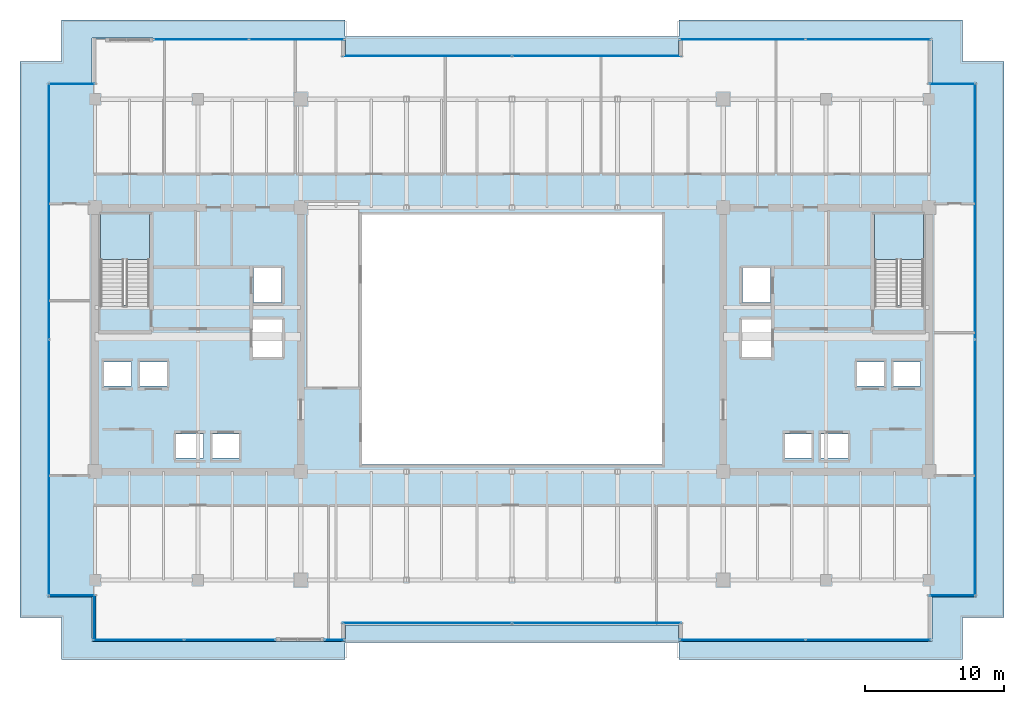
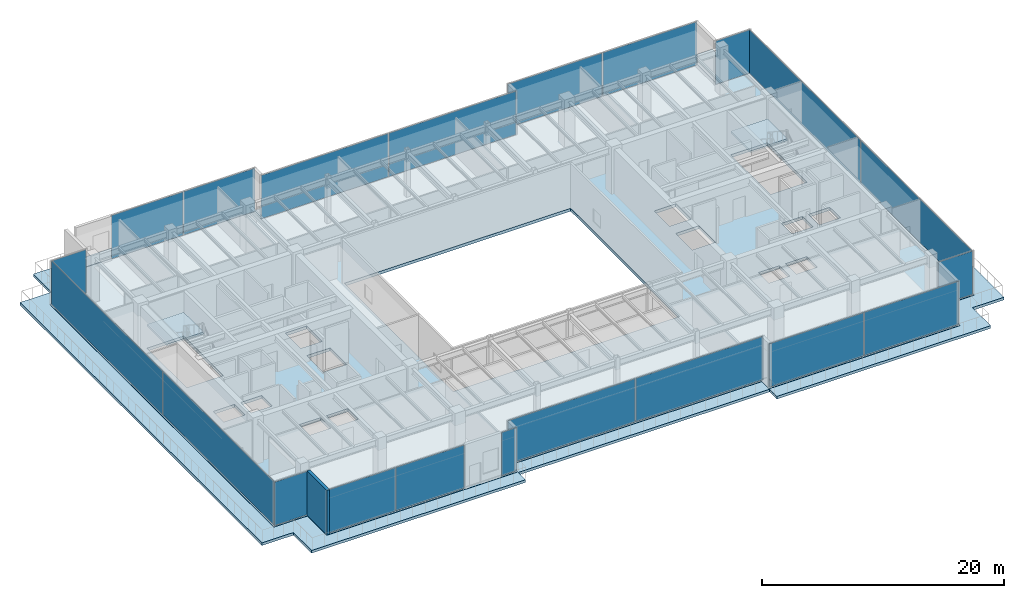
# One storey, part 27 of 37: 21 plates, 4 slabs, 1 wall, 15 elements without a shape of their own.
"""IFC4 building model written with IfcOpenShell, lengths in metres."""

from ifc_helpers import new_model, si_unit, direction, frame, frame_2d, origin, origin_2d, place, context, subcontext, project, spatial, polyline, rectangle, outline, extrude, source, transform, mapped, material, layer, layer_set, type_object, type_shapes, element, aggregate, save


model = new_model("IFC4")

# Units and contexts
model_context = context("Model", 3, precision=1e-05, world=origin(), true_north=direction((0.0, 1.0)))
body_context = subcontext(model_context, "Body", "Model", "MODEL_VIEW")
ifc_project = project(units=[si_unit("LENGTHUNIT", "METRE"), si_unit("AREAUNIT", "SQUARE_METRE"), si_unit("VOLUMEUNIT", "CUBIC_METRE"), si_unit("PLANEANGLEUNIT", "RADIAN"), si_unit("MASSUNIT", "GRAM", prefix="KILO")], contexts=[model_context])

# Site, building, storey
site_placement = place(None, origin())
site = spatial("IfcSite", under=ifc_project, at=site_placement, CompositionType="ELEMENT")
building_placement = place(site_placement, origin())
building = spatial("IfcBuilding", under=site, at=building_placement, Name="Haelvirn Gate Laboratories", CompositionType="ELEMENT")
storey_placement = place(building_placement, frame((0.0, 0.0, 196.60009765625)))
storey = spatial("IfcBuildingStorey", under=building, at=storey_placement, Name="L47", CompositionType="ELEMENT", Elevation=196.60009765625)

# Slab
ifc_material_1 = material(Name="Concrete C40/50", Category="concrete")
ifc_layer_1 = layer(ifc_material_1, 0.27001953125, Name="SL-SETB-270")
ifc_layer_set_1 = layer_set([ifc_layer_1], Name="Concrete C40/50")
slab_type_1 = type_object("IfcSlabType", Name="SL-SETB-270", PredefinedType="ROOF", material=ifc_layer_set_1)
slab_1_placement = place(storey_placement, frame((0.0, 0.0, -0.27001953125)))
element("IfcSlab", 1, at=slab_1_placement, inside=storey, type_object=slab_type_1, Name="L47 Setback Roof Terrace Deck 1", PredefinedType="ROOF", context=body_context, shape_type="SweptSolid", body=[
    extrude(outline(polyline([(5.0, 4.300048828125), (2.0, 4.300048828125), (2.0, 44.300048828125), (5.0, 44.300048828125), (5.0, 47.300048828125), (25.39990234375, 47.300048828125), (25.39990234375, 46.10009765625), (49.39990234375, 46.10009765625), (49.39990234375, 47.300048828125), (69.800048828125, 47.300048828125), (69.800048828125, 44.300048828125), (72.800048828125, 44.300048828125), (72.800048828125, 4.300048828125), (69.800048828125, 4.300048828125), (69.800048828125, 1.300048828125), (49.39990234375, 1.300048828125), (49.39990234375, 2.5), (25.39990234375, 2.5), (25.39990234375, 1.300048828125), (5.0, 1.300048828125), (5.0, 4.300048828125)]), holes=[polyline([(7.18017578125, 2.597900390625), (7.180419921875, 2.59619140625), (7.180908203125, 2.59423828125), (7.181396484375, 2.59228515625), (7.182373046875, 2.590576171875), (7.183349609375, 2.5888671875), (7.1845703125, 2.58740234375), (7.185791015625, 2.5859375), (7.187255859375, 2.58447265625), (7.18896484375, 2.58349609375), (7.190673828125, 2.58251953125), (7.1923828125, 2.58154296875), (7.194091796875, 2.580810546875), (7.196044921875, 2.580322265625), (7.197998046875, 2.580078125), (7.199951171875, 2.580078125), (25.39990234375, 2.580078125), (25.402099609375, 2.580078125), (25.40380859375, 2.580322265625), (25.40576171875, 2.580810546875), (25.40771484375, 2.58154296875), (25.409423828125, 2.58251953125), (25.4111328125, 2.58349609375), (25.41259765625, 2.58447265625), (25.4140625, 2.5859375), (25.41552734375, 2.58740234375), (25.41650390625, 2.5888671875), (25.41748046875, 2.590576171875), (25.41845703125, 2.59228515625), (25.419189453125, 2.59423828125), (25.419677734375, 2.59619140625), (25.419921875, 2.597900390625), (25.419921875, 2.60009765625), (25.419921875, 3.780029296875), (49.3798828125, 3.780029296875), (49.3798828125, 2.60009765625), (49.380126953125, 2.597900390625), (49.38037109375, 2.59619140625), (49.380859375, 2.59423828125), (49.381591796875, 2.59228515625), (49.38232421875, 2.590576171875), (49.38330078125, 2.5888671875), (49.384521484375, 2.58740234375), (49.385986328125, 2.5859375), (49.38720703125, 2.58447265625), (49.388916015625, 2.58349609375), (49.390625, 2.58251953125), (49.392333984375, 2.58154296875), (49.394287109375, 2.580810546875), (49.39599609375, 2.580322265625), (49.39794921875, 2.580078125), (49.39990234375, 2.580078125), (67.60009765625, 2.580078125), (67.60205078125, 2.580078125), (67.60400390625, 2.580322265625), (67.605712890625, 2.580810546875), (67.607666015625, 2.58154296875), (67.609375, 2.58251953125), (67.611083984375, 2.58349609375), (67.61279296875, 2.58447265625), (67.614013671875, 2.5859375), (67.615478515625, 2.58740234375), (67.61669921875, 2.5888671875), (67.61767578125, 2.590576171875), (67.618408203125, 2.59228515625), (67.619140625, 2.59423828125), (67.61962890625, 2.59619140625), (67.619873046875, 2.597900390625), (67.6201171875, 2.60009765625), (67.6201171875, 5.780029296875), (70.800048828125, 5.780029296875), (70.802001953125, 5.780029296875), (70.803955078125, 5.780517578125), (70.805908203125, 5.781005859375), (70.8076171875, 5.781494140625), (70.809326171875, 5.782470703125), (70.81103515625, 5.783447265625), (70.812744140625, 5.784423828125), (70.814208984375, 5.785888671875), (70.8154296875, 5.787353515625), (70.816650390625, 5.788818359375), (70.817626953125, 5.79052734375), (70.818603515625, 5.792236328125), (70.819091796875, 5.794189453125), (70.819580078125, 5.796142578125), (70.81982421875, 5.798095703125), (70.820068359375, 5.800048828125), (70.820068359375, 42.800048828125), (70.81982421875, 42.802001953125), (70.819580078125, 42.803955078125), (70.819091796875, 42.805908203125), (70.818603515625, 42.8076171875), (70.817626953125, 42.809326171875), (70.816650390625, 42.81103515625), (70.8154296875, 42.812744140625), (70.814208984375, 42.814208984375), (70.812744140625, 42.8154296875), (70.81103515625, 42.816650390625), (70.809326171875, 42.817626953125), (70.8076171875, 42.818603515625), (70.805908203125, 42.819091796875), (70.803955078125, 42.819580078125), (70.802001953125, 42.81982421875), (70.800048828125, 42.820068359375), (67.6201171875, 42.820068359375), (67.6201171875, 46.0), (67.619873046875, 46.001953125), (67.61962890625, 46.00390625), (67.619140625, 46.005859375), (67.618408203125, 46.0078125), (67.61767578125, 46.009521484375), (67.61669921875, 46.010986328125), (67.615478515625, 46.0126953125), (67.614013671875, 46.01416015625), (67.61279296875, 46.015380859375), (67.611083984375, 46.0166015625), (67.609375, 46.017578125), (67.607666015625, 46.0185546875), (67.605712890625, 46.01904296875), (67.60400390625, 46.01953125), (67.60205078125, 46.02001953125), (67.60009765625, 46.02001953125), (49.39990234375, 46.02001953125), (49.39794921875, 46.02001953125), (49.39599609375, 46.01953125), (49.394287109375, 46.01904296875), (49.392333984375, 46.0185546875), (49.390625, 46.017578125), (49.388916015625, 46.0166015625), (49.38720703125, 46.015380859375), (49.385986328125, 46.01416015625), (49.384521484375, 46.0126953125), (49.38330078125, 46.010986328125), (49.38232421875, 46.009521484375), (49.381591796875, 46.0078125), (49.380859375, 46.005859375), (49.38037109375, 46.00390625), (49.380126953125, 46.001953125), (49.3798828125, 46.0), (49.3798828125, 44.820068359375), (25.419921875, 44.820068359375), (25.419921875, 46.0), (25.419921875, 46.001953125), (25.419677734375, 46.00390625), (25.419189453125, 46.005859375), (25.41845703125, 46.0078125), (25.41748046875, 46.009521484375), (25.41650390625, 46.010986328125), (25.41552734375, 46.0126953125), (25.4140625, 46.01416015625), (25.41259765625, 46.015380859375), (25.4111328125, 46.0166015625), (25.409423828125, 46.017578125), (25.40771484375, 46.0185546875), (25.40576171875, 46.01904296875), (25.40380859375, 46.01953125), (25.402099609375, 46.02001953125), (25.39990234375, 46.02001953125), (7.199951171875, 46.02001953125), (7.197998046875, 46.02001953125), (7.196044921875, 46.01953125), (7.194091796875, 46.01904296875), (7.1923828125, 46.0185546875), (7.190673828125, 46.017578125), (7.18896484375, 46.0166015625), (7.187255859375, 46.015380859375), (7.185791015625, 46.01416015625), (7.1845703125, 46.0126953125), (7.183349609375, 46.010986328125), (7.182373046875, 46.009521484375), (7.181396484375, 46.0078125), (7.180908203125, 46.005859375), (7.180419921875, 46.00390625), (7.18017578125, 46.001953125), (7.179931640625, 46.0), (7.179931640625, 42.820068359375), (4.0, 42.820068359375), (3.998046875, 42.81982421875), (3.99609375, 42.819580078125), (3.994140625, 42.819091796875), (3.9921875, 42.818603515625), (3.990478515625, 42.817626953125), (3.989013671875, 42.816650390625), (3.9873046875, 42.8154296875), (3.98583984375, 42.814208984375), (3.984619140625, 42.812744140625), (3.9833984375, 42.81103515625), (3.982421875, 42.809326171875), (3.9814453125, 42.8076171875), (3.98095703125, 42.805908203125), (3.98046875, 42.803955078125), (3.97998046875, 42.802001953125), (3.97998046875, 42.800048828125), (3.97998046875, 5.800048828125), (3.97998046875, 5.798095703125), (3.98046875, 5.796142578125), (3.98095703125, 5.794189453125), (3.9814453125, 5.792236328125), (3.982421875, 5.79052734375), (3.9833984375, 5.788818359375), (3.984619140625, 5.787353515625), (3.98583984375, 5.785888671875), (3.9873046875, 5.784423828125), (3.989013671875, 5.783447265625), (3.990478515625, 5.782470703125), (3.9921875, 5.781494140625), (3.994140625, 5.781005859375), (3.99609375, 5.780517578125), (3.998046875, 5.780029296875), (4.0, 5.780029296875), (7.179931640625, 5.780029296875), (7.179931640625, 2.60009765625), (7.18017578125, 2.597900390625)])]), origin(), (0.0, 0.0, 1.0), 0.27001953125),
])

# Stair, slab
stair_type = type_object("IfcStairType", Name="ST-DOG-1650-R26", PredefinedType="HALF_TURN_STAIR", material=ifc_material_1)
stair_1_placement = place(storey_placement, origin())
stair_1 = element("IfcStair", 2, at=stair_1_placement, inside=storey, type_object=stair_type, Name="L47 Escape Stair ST1", PredefinedType="HALF_TURN_STAIR")
ifc_layer_2 = layer(ifc_material_1, 0.199951171875, Name="SL-STAIR-LND")
ifc_layer_set_2 = layer_set([ifc_layer_2], Name="Concrete C40/50")
slab_type_2 = type_object("IfcSlabType", Name="SL-STAIR-LND", PredefinedType="LANDING", material=ifc_layer_set_2)
slab_2_placement = place(storey_placement, frame((0.0, 0.0, 2.199951171875)))
slab_2 = element("IfcSlab", 3, at=slab_2_placement, type_object=slab_type_2, Name="ST1 landing 1", PredefinedType="LANDING", context=body_context, shape_type="SweptSolid", body=[
    extrude(outline(polyline([(11.300048828125, 30.06005859375), (11.300048828125, 33.35009765625), (7.800048828125, 33.35009765625), (7.800048828125, 30.06005859375), (11.300048828125, 30.06005859375)])), origin(), (0.0, 0.0, 1.0), 0.199951171875),
])
aggregate(stair_1, [slab_2])

stair_2_placement = place(storey_placement, origin())
stair_2 = element("IfcStair", 4, at=stair_2_placement, inside=storey, type_object=stair_type, Name="L47 Escape Stair ST2", PredefinedType="HALF_TURN_STAIR")
slab_3_placement = place(storey_placement, frame((0.0, 0.0, 2.199951171875)))
slab_3 = element("IfcSlab", 5, at=slab_3_placement, type_object=slab_type_2, Name="ST2 landing 1", PredefinedType="LANDING", context=body_context, shape_type="SweptSolid", body=[
    extrude(outline(polyline([(67.0, 30.06005859375), (67.0, 33.35009765625), (63.5, 33.35009765625), (63.5, 30.06005859375), (67.0, 30.06005859375)])), origin(), (0.0, 0.0, 1.0), 0.199951171875),
])
aggregate(stair_2, [slab_3])

# Slab
ifc_layer_3 = layer(ifc_material_1, 0.300048828125, Name="SL-Z3-300")
ifc_layer_set_3 = layer_set([ifc_layer_3], Name="Concrete C40/50")
slab_type_3 = type_object("IfcSlabType", Name="SL-Z3-300", PredefinedType="FLOOR", material=ifc_layer_set_3)
slab_4_placement = place(storey_placement, frame((0.0, 0.0, -0.300048828125)))
element("IfcSlab", 6, at=slab_4_placement, inside=storey, type_object=slab_type_3, Name="L47 Structural Slab MAIN", PredefinedType="FLOOR", context=body_context, shape_type="SweptSolid", body=[
    extrude(outline(polyline([(7.199951171875, 2.60009765625), (25.39990234375, 2.60009765625), (25.39990234375, 3.800048828125), (49.39990234375, 3.800048828125), (49.39990234375, 2.60009765625), (67.60009765625, 2.60009765625), (67.60009765625, 5.800048828125), (70.800048828125, 5.800048828125), (70.800048828125, 42.800048828125), (67.60009765625, 42.800048828125), (67.60009765625, 46.0), (49.39990234375, 46.0), (49.39990234375, 44.800048828125), (25.39990234375, 44.800048828125), (25.39990234375, 46.0), (7.199951171875, 46.0), (7.199951171875, 42.800048828125), (4.0, 42.800048828125), (4.0, 5.800048828125), (7.199951171875, 5.800048828125), (7.199951171875, 2.60009765625)]), holes=[polyline([(26.60009765625, 15.300048828125), (48.199951171875, 15.300048828125), (48.199951171875, 33.300048828125), (26.60009765625, 33.300048828125), (26.60009765625, 15.300048828125)]), polyline([(11.300048828125, 26.780029296875), (11.300048828125, 33.35009765625), (7.800048828125, 33.35009765625), (7.800048828125, 26.780029296875), (11.300048828125, 26.780029296875)]), polyline([(67.0, 26.780029296875), (67.0, 33.35009765625), (63.5, 33.35009765625), (63.5, 26.780029296875), (67.0, 26.780029296875)]), polyline([(13.18994140625, 15.77001953125), (15.2099609375, 15.77001953125), (15.2099609375, 17.510009765625), (13.18994140625, 17.510009765625), (13.18994140625, 15.77001953125)]), polyline([(15.7900390625, 15.77001953125), (17.81005859375, 15.77001953125), (17.81005859375, 17.510009765625), (15.7900390625, 17.510009765625), (15.7900390625, 15.77001953125)]), polyline([(7.989990234375, 20.969970703125), (10.010009765625, 20.969970703125), (10.010009765625, 22.7099609375), (7.989990234375, 22.7099609375), (7.989990234375, 20.969970703125)]), polyline([(10.590087890625, 20.969970703125), (12.610107421875, 20.969970703125), (12.610107421875, 22.7099609375), (10.590087890625, 22.7099609375), (10.590087890625, 20.969970703125)]), polyline([(18.7900390625, 26.969970703125), (20.81005859375, 26.969970703125), (20.81005859375, 29.510009765625), (18.7900390625, 29.510009765625), (18.7900390625, 26.969970703125)]), polyline([(18.68994140625, 23.070068359375), (20.909912109375, 23.070068359375), (20.909912109375, 25.81005859375), (18.68994140625, 25.81005859375), (18.68994140625, 23.070068359375)]), polyline([(59.590087890625, 15.77001953125), (61.610107421875, 15.77001953125), (61.610107421875, 17.510009765625), (59.590087890625, 17.510009765625), (59.590087890625, 15.77001953125)]), polyline([(56.989990234375, 15.77001953125), (59.010009765625, 15.77001953125), (59.010009765625, 17.510009765625), (56.989990234375, 17.510009765625), (56.989990234375, 15.77001953125)]), polyline([(64.7900390625, 20.969970703125), (66.81005859375, 20.969970703125), (66.81005859375, 22.7099609375), (64.7900390625, 22.7099609375), (64.7900390625, 20.969970703125)]), polyline([(62.18994140625, 20.969970703125), (64.2099609375, 20.969970703125), (64.2099609375, 22.7099609375), (62.18994140625, 22.7099609375), (62.18994140625, 20.969970703125)]), polyline([(53.989990234375, 26.969970703125), (56.010009765625, 26.969970703125), (56.010009765625, 29.510009765625), (53.989990234375, 29.510009765625), (53.989990234375, 26.969970703125)]), polyline([(53.889892578125, 23.070068359375), (56.110107421875, 23.070068359375), (56.110107421875, 25.81005859375), (53.889892578125, 25.81005859375), (53.889892578125, 23.070068359375)])]), origin(), (0.0, 0.0, 1.0), 0.300048828125),
])

# Curtain wall, plates
ifc_material_2 = material(Name="Anodised bronze unitised aluminium & triple low-E glass", Category="aluminium")
ifc_layer_4 = layer(ifc_material_2, 0.176025390625, Name="CW-SYS-4")
ifc_layer_set_4 = layer_set([ifc_layer_4], Name="Anodised bronze unitised aluminium & triple low-E glass")
curtain_wall_type_1 = type_object("IfcCurtainWallType", Name="CW-SYS-4", PredefinedType="NOTDEFINED", material=ifc_layer_set_4)
curtain_wall_1_placement = place(storey_placement, origin())
curtain_wall_1 = element("IfcCurtainWall", 7, at=curtain_wall_1_placement, inside=storey, type_object=curtain_wall_type_1, Name="L47 Unitised Curtain Wall CW-L47-P0-E00-1", PredefinedType="NOTDEFINED")
ifc_material_3 = material(Name="Acoustic laminated bronze triple IGU 36 mm", Category="glass")
ifc_layer_5 = layer(ifc_material_3, 0.035888671875, Name="CWP-IGU-36")
ifc_layer_set_5 = layer_set([ifc_layer_5], Name="Acoustic laminated bronze triple IGU 36 mm")
plate_type_1 = type_object("IfcPlateType", Name="CWP-IGU-36", PredefinedType="CURTAIN_PANEL", material=ifc_layer_set_5)
shared_shape_1 = source(origin(), body_context, "Body", "SweptSolid", [
    extrude(rectangle(XDim=6.510009765625, YDim=0.035888671875, at=origin_2d()), origin(), (0.0, 0.0, 1.0), 4.3701171875),
])
plate_1_placement = place(storey_placement, frame((10.52490234375, 2.699951171875, 0.06494140625), z_axis=(0.0, 0.0, 1.0), x_axis=(1.0, 0.0, 0.0)))
plate_1 = element("IfcPlate", 8, at=plate_1_placement, type_object=plate_type_1, Name="CW4 panel 1.1", PredefinedType="CURTAIN_PANEL", context=body_context, shape_type="MappedRepresentation", body=[
    mapped(shared_shape_1, transform((0.0, 0.0, 0.0), scale=1.0)),
])
plate_2_placement = place(storey_placement, frame((17.10498046875, 2.699951171875, 0.06494140625), z_axis=(0.0, 0.0, 1.0), x_axis=(1.0, 0.0, 0.0)))
plate_2 = element("IfcPlate", 9, at=plate_2_placement, type_object=plate_type_1, Name="CW4 panel 2.1", PredefinedType="CURTAIN_PANEL", context=body_context, shape_type="MappedRepresentation", body=[
    mapped(shared_shape_1, transform((0.0, 0.0, 0.0), scale=1.0)),
])
aggregate(curtain_wall_1, [plate_1, plate_2])

# Curtain wall, plate
curtain_wall_2_placement = place(storey_placement, origin())
curtain_wall_2 = element("IfcCurtainWall", 10, at=curtain_wall_2_placement, inside=storey, type_object=curtain_wall_type_1, Name="L47 Unitised Curtain Wall CW-L47-P0-E00-2", PredefinedType="NOTDEFINED")
shared_shape_2 = source(origin(), body_context, "Body", "SweptSolid", [
    extrude(rectangle(XDim=1.389892578125, YDim=0.035888671875, at=origin_2d()), origin(), (0.0, 0.0, 1.0), 4.3701171875),
])
plate_3_placement = place(storey_placement, frame((24.635009765625, 2.699951171875, 0.06494140625), z_axis=(0.0, 0.0, 1.0), x_axis=(1.0, 0.0, 0.0)))
plate_3 = element("IfcPlate", 11, at=plate_3_placement, type_object=plate_type_1, Name="CW4 panel 1.1", PredefinedType="CURTAIN_PANEL", context=body_context, shape_type="MappedRepresentation", body=[
    mapped(shared_shape_2, transform((0.0, 0.0, 0.0), scale=1.0)),
])
aggregate(curtain_wall_2, [plate_3])

# Curtain wall, plates
curtain_wall_3_placement = place(storey_placement, origin())
curtain_wall_3 = element("IfcCurtainWall", 12, at=curtain_wall_3_placement, inside=storey, type_object=curtain_wall_type_1, Name="L47 Unitised Curtain Wall CW-L47-P0-E02-1", PredefinedType="NOTDEFINED")
shared_shape_3 = source(origin(), body_context, "Body", "SweptSolid", [
    extrude(rectangle(XDim=12.135009765625, YDim=0.035888671875, at=origin_2d()), origin(), (0.0, 0.0, 1.0), 4.3701171875),
])
plate_4_placement = place(storey_placement, frame((31.297607421875, 3.89990234375, 0.06494140625), z_axis=(0.0, 0.0, 1.0), x_axis=(1.0, 0.0, 0.0)))
plate_4 = element("IfcPlate", 13, at=plate_4_placement, type_object=plate_type_1, Name="CW4 panel 1.1", PredefinedType="CURTAIN_PANEL", context=body_context, shape_type="MappedRepresentation", body=[
    mapped(shared_shape_3, transform((0.0, 0.0, 0.0), scale=1.0)),
])
plate_5_placement = place(storey_placement, frame((43.50244140625, 3.89990234375, 0.06494140625), z_axis=(0.0, 0.0, 1.0), x_axis=(1.0, 0.0, 0.0)))
plate_5 = element("IfcPlate", 14, at=plate_5_placement, type_object=plate_type_1, Name="CW4 panel 2.1", PredefinedType="CURTAIN_PANEL", context=body_context, shape_type="MappedRepresentation", body=[
    mapped(shared_shape_3, transform((0.0, 0.0, 0.0), scale=1.0)),
])
aggregate(curtain_wall_3, [plate_4, plate_5])

curtain_wall_4_placement = place(storey_placement, origin())
curtain_wall_4 = element("IfcCurtainWall", 15, at=curtain_wall_4_placement, inside=storey, type_object=curtain_wall_type_1, Name="L47 Unitised Curtain Wall CW-L47-P0-E12-1", PredefinedType="NOTDEFINED")
plate_6_placement = place(storey_placement, frame((31.297607421875, 44.699951171875, 0.06494140625), z_axis=(0.0, 0.0, 1.0), x_axis=(1.0, 0.0, 0.0)))
plate_6 = element("IfcPlate", 16, at=plate_6_placement, type_object=plate_type_1, Name="CW4 panel 1.1", PredefinedType="CURTAIN_PANEL", context=body_context, shape_type="MappedRepresentation", body=[
    mapped(shared_shape_3, transform((0.0, 0.0, 0.0), scale=1.0)),
])
plate_7_placement = place(storey_placement, frame((43.50244140625, 44.699951171875, 0.06494140625), z_axis=(0.0, 0.0, 1.0), x_axis=(1.0, 0.0, 0.0)))
plate_7 = element("IfcPlate", 17, at=plate_7_placement, type_object=plate_type_1, Name="CW4 panel 2.1", PredefinedType="CURTAIN_PANEL", context=body_context, shape_type="MappedRepresentation", body=[
    mapped(shared_shape_3, transform((0.0, 0.0, 0.0), scale=1.0)),
])
aggregate(curtain_wall_4, [plate_6, plate_7])

curtain_wall_5_placement = place(storey_placement, origin())
curtain_wall_5 = element("IfcCurtainWall", 18, at=curtain_wall_5_placement, inside=storey, type_object=curtain_wall_type_1, Name="L47 Unitised Curtain Wall CW-L47-P0-E04-1", PredefinedType="NOTDEFINED")
shared_shape_4 = source(origin(), body_context, "Body", "SweptSolid", [
    extrude(rectangle(XDim=8.9951171875, YDim=0.035888671875, at=origin_2d()), origin(), (0.0, 0.0, 1.0), 4.3701171875),
])
plate_8_placement = place(storey_placement, frame((53.967529296875, 2.699951171875, 0.06494140625), z_axis=(0.0, 0.0, 1.0), x_axis=(1.0, 0.0, 0.0)))
plate_8 = element("IfcPlate", 19, at=plate_8_placement, type_object=plate_type_1, Name="CW4 panel 1.1", PredefinedType="CURTAIN_PANEL", context=body_context, shape_type="MappedRepresentation", body=[
    mapped(shared_shape_4, transform((0.0, 0.0, 0.0), scale=1.0)),
])
plate_9_placement = place(storey_placement, frame((63.032470703125, 2.699951171875, 0.06494140625), z_axis=(0.0, 0.0, 1.0), x_axis=(1.0, 0.0, 0.0)))
plate_9 = element("IfcPlate", 20, at=plate_9_placement, type_object=plate_type_1, Name="CW4 panel 2.1", PredefinedType="CURTAIN_PANEL", context=body_context, shape_type="MappedRepresentation", body=[
    mapped(shared_shape_4, transform((0.0, 0.0, 0.0), scale=1.0)),
])
aggregate(curtain_wall_5, [plate_8, plate_9])

curtain_wall_6_placement = place(storey_placement, origin())
curtain_wall_6 = element("IfcCurtainWall", 21, at=curtain_wall_6_placement, inside=storey, type_object=curtain_wall_type_1, Name="L47 Unitised Curtain Wall CW-L47-P0-E10-1", PredefinedType="NOTDEFINED")
plate_10_placement = place(storey_placement, frame((53.967529296875, 45.89990234375, 0.06494140625), z_axis=(0.0, 0.0, 1.0), x_axis=(1.0, 0.0, 0.0)))
plate_10 = element("IfcPlate", 22, at=plate_10_placement, type_object=plate_type_1, Name="CW4 panel 1.1", PredefinedType="CURTAIN_PANEL", context=body_context, shape_type="MappedRepresentation", body=[
    mapped(shared_shape_4, transform((0.0, 0.0, 0.0), scale=1.0)),
])
plate_11_placement = place(storey_placement, frame((63.032470703125, 45.89990234375, 0.06494140625), z_axis=(0.0, 0.0, 1.0), x_axis=(1.0, 0.0, 0.0)))
plate_11 = element("IfcPlate", 23, at=plate_11_placement, type_object=plate_type_1, Name="CW4 panel 2.1", PredefinedType="CURTAIN_PANEL", context=body_context, shape_type="MappedRepresentation", body=[
    mapped(shared_shape_4, transform((0.0, 0.0, 0.0), scale=1.0)),
])
aggregate(curtain_wall_6, [plate_10, plate_11])

# Curtain wall, plate
ifc_layer_6 = layer(ifc_material_2, 0.181884765625, Name="CW-SYS-5")
ifc_layer_set_6 = layer_set([ifc_layer_6], Name="Anodised bronze unitised aluminium & triple low-E glass")
curtain_wall_type_2 = type_object("IfcCurtainWallType", Name="CW-SYS-5", PredefinedType="NOTDEFINED", material=ifc_layer_set_6)
curtain_wall_7_placement = place(storey_placement, origin())
curtain_wall_7 = element("IfcCurtainWall", 24, at=curtain_wall_7_placement, inside=storey, type_object=curtain_wall_type_2, Name="L47 Unitised Curtain Wall CW-L47-P0-E06-1", PredefinedType="NOTDEFINED")
ifc_material_4 = material(Name="Clear low-iron notched-corner triple IGU 42 mm", Category="glass")
ifc_layer_7 = layer(ifc_material_4, 0.0419921875, Name="CWP-NTC-42")
ifc_layer_set_7 = layer_set([ifc_layer_7], Name="Clear low-iron notched-corner triple IGU 42 mm")
plate_type_2 = type_object("IfcPlateType", Name="CWP-NTC-42", PredefinedType="CURTAIN_PANEL", material=ifc_layer_set_7)
shared_shape_5 = source(origin(), body_context, "Body", "SweptSolid", [
    extrude(rectangle(XDim=3.280029296875, YDim=0.0419921875, at=origin_2d()), origin(), (0.0, 0.0, 1.0), 4.3701171875),
])
type_shapes(plate_type_2, [shared_shape_5])
plate_12_placement = place(storey_placement, frame((69.080078125, 5.89990234375, 0.06494140625), z_axis=(0.0, 0.0, 1.0), x_axis=(1.0, 0.0, 0.0)))
plate_12 = element("IfcPlate", 25, at=plate_12_placement, type_object=plate_type_2, Name="CW5 panel 1.1", PredefinedType="CURTAIN_PANEL", context=body_context, shape_type="MappedRepresentation", body=[
    mapped(shared_shape_5, transform((0.0, 0.0, 0.0), scale=1.0)),
])
aggregate(curtain_wall_7, [plate_12])

curtain_wall_8_placement = place(storey_placement, origin())
curtain_wall_8 = element("IfcCurtainWall", 26, at=curtain_wall_8_placement, inside=storey, type_object=curtain_wall_type_2, Name="L47 Unitised Curtain Wall CW-L47-P0-E08-1", PredefinedType="NOTDEFINED")
plate_13_placement = place(storey_placement, frame((69.080078125, 42.699951171875, 0.06494140625), z_axis=(0.0, 0.0, 1.0), x_axis=(1.0, 0.0, 0.0)))
plate_13 = element("IfcPlate", 27, at=plate_13_placement, type_object=plate_type_2, Name="CW5 panel 1.1", PredefinedType="CURTAIN_PANEL", context=body_context, shape_type="MappedRepresentation", body=[
    mapped(shared_shape_5, transform((0.0, 0.0, 0.0), scale=1.0)),
])
aggregate(curtain_wall_8, [plate_13])

curtain_wall_9_placement = place(storey_placement, origin())
curtain_wall_9 = element("IfcCurtainWall", 28, at=curtain_wall_9_placement, inside=storey, type_object=curtain_wall_type_2, Name="L47 Unitised Curtain Wall CW-L47-P0-E16-1", PredefinedType="NOTDEFINED")
plate_14_placement = place(storey_placement, frame((5.719970703125, 42.699951171875, 0.06494140625), z_axis=(0.0, 0.0, 1.0), x_axis=(1.0, 0.0, 0.0)))
plate_14 = element("IfcPlate", 29, at=plate_14_placement, type_object=plate_type_2, Name="CW5 panel 1.1", PredefinedType="CURTAIN_PANEL", context=body_context, shape_type="MappedRepresentation", body=[
    mapped(shared_shape_5, transform((0.0, 0.0, 0.0), scale=1.0)),
])
aggregate(curtain_wall_9, [plate_14])

curtain_wall_10_placement = place(storey_placement, origin())
curtain_wall_10 = element("IfcCurtainWall", 30, at=curtain_wall_10_placement, inside=storey, type_object=curtain_wall_type_2, Name="L47 Unitised Curtain Wall CW-L47-P0-E18-1", PredefinedType="NOTDEFINED")
plate_15_placement = place(storey_placement, frame((5.719970703125, 5.89990234375, 0.06494140625), z_axis=(0.0, 0.0, 1.0), x_axis=(1.0, 0.0, 0.0)))
plate_15 = element("IfcPlate", 31, at=plate_15_placement, type_object=plate_type_2, Name="CW5 panel 1.1", PredefinedType="CURTAIN_PANEL", context=body_context, shape_type="MappedRepresentation", body=[
    mapped(shared_shape_5, transform((0.0, 0.0, 0.0), scale=1.0)),
])
aggregate(curtain_wall_10, [plate_15])

# Curtain wall, plates
curtain_wall_11_placement = place(storey_placement, origin())
curtain_wall_11 = element("IfcCurtainWall", 32, at=curtain_wall_11_placement, inside=storey, type_object=curtain_wall_type_1, Name="L47 Unitised Curtain Wall CW-L47-P0-E07", PredefinedType="NOTDEFINED")
shared_shape_6 = source(origin(), body_context, "Body", "SweptSolid", [
    extrude(rectangle(XDim=18.39501953125, YDim=0.035888671875, at=origin_2d()), origin(), (0.0, 0.0, 1.0), 4.3701171875),
])
plate_16_placement = place(storey_placement, frame((70.699951171875, 15.0673828125, 0.06494140625), z_axis=(0.0, 0.0, 1.0), x_axis=(0.0, 1.0, 0.0)))
plate_16 = element("IfcPlate", 33, at=plate_16_placement, type_object=plate_type_1, Name="CW4 panel 1.1", PredefinedType="CURTAIN_PANEL", context=body_context, shape_type="MappedRepresentation", body=[
    mapped(shared_shape_6, transform((0.0, 0.0, 0.0), scale=1.0)),
])
plate_17_placement = place(storey_placement, frame((70.699951171875, 33.532470703125, 0.06494140625), z_axis=(0.0, 0.0, 1.0), x_axis=(0.0, 1.0, 0.0)))
plate_17 = element("IfcPlate", 34, at=plate_17_placement, type_object=plate_type_1, Name="CW4 panel 2.1", PredefinedType="CURTAIN_PANEL", context=body_context, shape_type="MappedRepresentation", body=[
    mapped(shared_shape_6, transform((0.0, 0.0, 0.0), scale=1.0)),
])
aggregate(curtain_wall_11, [plate_16, plate_17])

curtain_wall_12_placement = place(storey_placement, origin())
curtain_wall_12 = element("IfcCurtainWall", 35, at=curtain_wall_12_placement, inside=storey, type_object=curtain_wall_type_1, Name="L47 Unitised Curtain Wall CW-L47-P0-E17", PredefinedType="NOTDEFINED")
plate_18_placement = place(storey_placement, frame((4.10009765625, 33.532470703125, 0.06494140625), z_axis=(0.0, 0.0, 1.0), x_axis=(0.0, -1.0, 0.0)))
plate_18 = element("IfcPlate", 36, at=plate_18_placement, type_object=plate_type_1, Name="CW4 panel 1.1", PredefinedType="CURTAIN_PANEL", context=body_context, shape_type="MappedRepresentation", body=[
    mapped(shared_shape_6, transform((0.0, 0.0, 0.0), scale=1.0)),
])
plate_19_placement = place(storey_placement, frame((4.10009765625, 15.0673828125, 0.06494140625), z_axis=(0.0, 0.0, 1.0), x_axis=(0.0, -1.0, 0.0)))
plate_19 = element("IfcPlate", 37, at=plate_19_placement, type_object=plate_type_1, Name="CW4 panel 2.1", PredefinedType="CURTAIN_PANEL", context=body_context, shape_type="MappedRepresentation", body=[
    mapped(shared_shape_6, transform((0.0, 0.0, 0.0), scale=1.0)),
])
aggregate(curtain_wall_12, [plate_18, plate_19])

curtain_wall_13_placement = place(storey_placement, origin())
curtain_wall_13 = element("IfcCurtainWall", 38, at=curtain_wall_13_placement, inside=storey, type_object=curtain_wall_type_1, Name="L47 Unitised Curtain Wall CW-L47-P0-E14-1", PredefinedType="NOTDEFINED")
shared_shape_7 = source(origin(), body_context, "Body", "SweptSolid", [
    extrude(rectangle(XDim=6.8076171875, YDim=0.035888671875, at=origin_2d()), origin(), (0.0, 0.0, 1.0), 4.3701171875),
])
type_shapes(plate_type_1, [shared_shape_1, shared_shape_2, shared_shape_3, shared_shape_4, shared_shape_6, shared_shape_7])
plate_20_placement = place(storey_placement, frame((15.048828125, 45.89990234375, 0.06494140625), z_axis=(0.0, 0.0, 1.0), x_axis=(1.0, 0.0, 0.0)))
plate_20 = element("IfcPlate", 39, at=plate_20_placement, type_object=plate_type_1, Name="CW4 panel 1.1", PredefinedType="CURTAIN_PANEL", context=body_context, shape_type="MappedRepresentation", body=[
    mapped(shared_shape_7, transform((0.0, 0.0, 0.0), scale=1.0)),
])
plate_21_placement = place(storey_placement, frame((21.92626953125, 45.89990234375, 0.06494140625), z_axis=(0.0, 0.0, 1.0), x_axis=(1.0, 0.0, 0.0)))
plate_21 = element("IfcPlate", 40, at=plate_21_placement, type_object=plate_type_1, Name="CW4 panel 2.1", PredefinedType="CURTAIN_PANEL", context=body_context, shape_type="MappedRepresentation", body=[
    mapped(shared_shape_7, transform((0.0, 0.0, 0.0), scale=1.0)),
])
aggregate(curtain_wall_13, [plate_20, plate_21])

# Wall
ifc_material_5 = material(Name="Thermally-broken bronze aluminium rainscreen & mineral wool", Category="aluminium")
ifc_layer_8 = layer(ifc_material_5, 0.280029296875, Name="EW-TERR-280")
ifc_layer_set_8 = layer_set([ifc_layer_8], Name="Thermally-broken bronze aluminium rainscreen & mineral wool")
wall_type = type_object("IfcWallType", Name="EW-TERR-280", PredefinedType="STANDARD", material=ifc_layer_set_8)
wall_placement = place(storey_placement, frame((7.340087890625, 5.887939453125, 0.0), z_axis=(0.0, 0.0, 1.0), x_axis=(0.0, -1.0, 0.0)))
element("IfcWall", 41, at=wall_placement, inside=storey, type_object=wall_type, Name="L47 Atrium Recess Bronze Return Wall 19", PredefinedType="STANDARD", context=body_context, shape_type="SweptSolid", body=[
    extrude(rectangle(XDim=3.287841796875, YDim=0.280029296875, at=frame_2d((1.64404296875, 0.0))), origin(), (0.0, 0.0, 1.0), 4.5),
])

save(model, "model.ifc")
